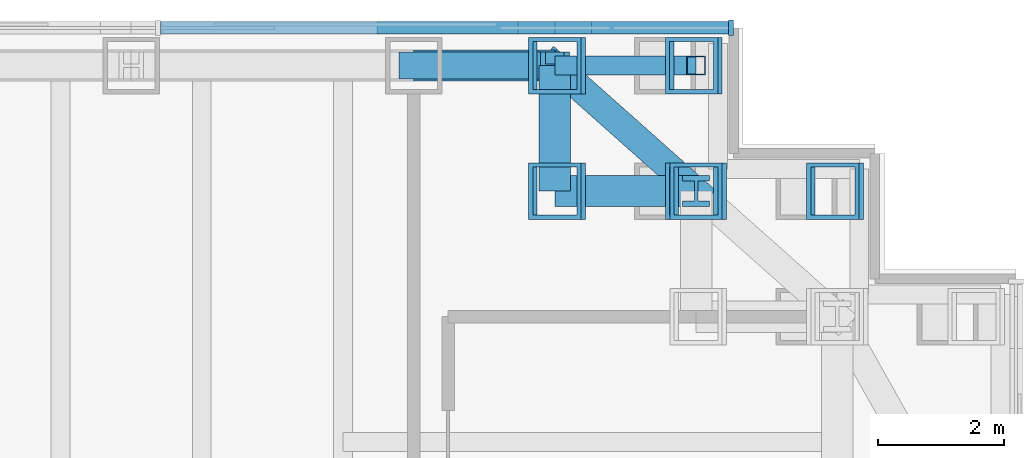
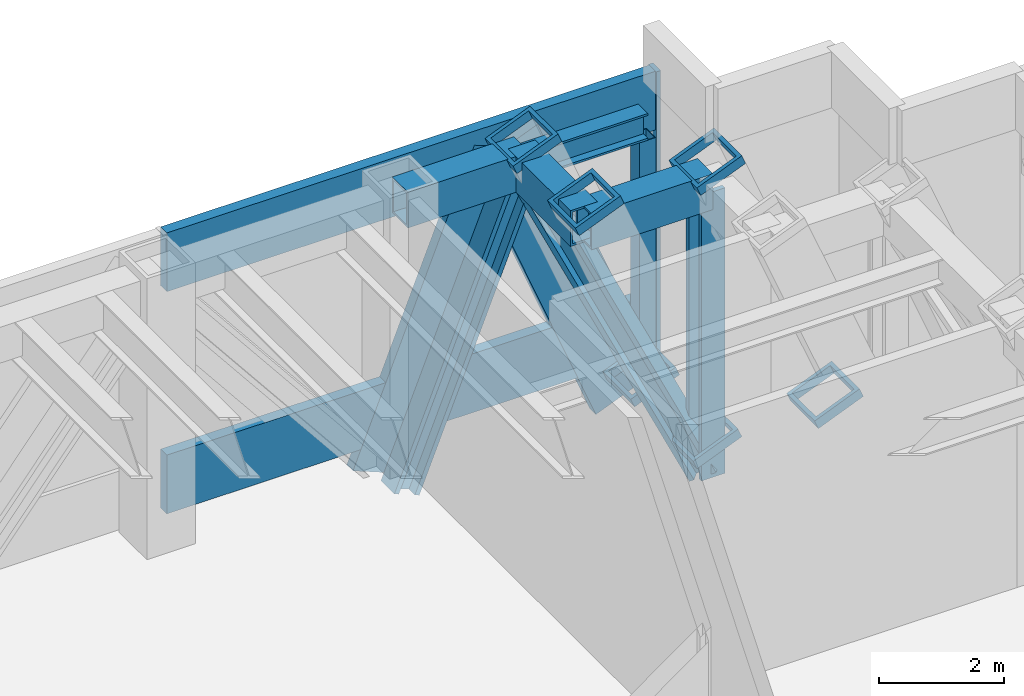
# One storey, part 8 of 17: 15 members, 4 beams, 1 element without a shape of its own.
"""IFC4 building model written with IfcOpenShell, lengths in metres."""

from ifc_helpers import new_model, si_unit, direction, frame, origin, origin_2d, place, context, subcontext, project, spatial, rectangle, hollow_rectangle, i_section, extrude, material, material_profile, profile_set, type_object, element, aggregate, save


model = new_model("IFC4")

# Units and contexts
model_context = context("Model", 3, precision=1e-05, world=origin(), true_north=direction((0.0, 1.0)))
body_context = subcontext(model_context, "Body", "Model", "MODEL_VIEW")
ifc_project = project(units=[si_unit("LENGTHUNIT", "METRE"), si_unit("AREAUNIT", "SQUARE_METRE"), si_unit("VOLUMEUNIT", "CUBIC_METRE"), si_unit("PLANEANGLEUNIT", "RADIAN"), si_unit("MASSUNIT", "GRAM", prefix="KILO")], contexts=[model_context])

# Site, building, storey
site_placement = place(None, origin())
site = spatial("IfcSite", under=ifc_project, at=site_placement, CompositionType="ELEMENT")
building_placement = place(site_placement, origin())
building = spatial("IfcBuilding", under=site, at=building_placement, Name="Rheinbord Bourse Tower", CompositionType="ELEMENT")
storey_placement = place(building_placement, frame((0.0, 0.0, 265.60009765625)))
storey = spatial("IfcBuildingStorey", under=building, at=storey_placement, Name="L60", CompositionType="ELEMENT", Elevation=265.60009765625)

# Beams
ifc_material_1 = material(Name="Steel S460M", Category="steel")
ifc_material_profile_1 = material_profile(ifc_material_1, hollow_rectangle(XDim=0.5, YDim=0.699951171875, WallThickness=0.0400390625, at=origin_2d()), Name="BOX 700x500x40")
ifc_profile_set_1 = profile_set([ifc_material_profile_1], Name="Steel S460M")
beam_type_1 = type_object("IfcBeamType", Name="BELT CHORD BOX 700x500x40", PredefinedType="SPANDREL", material=ifc_profile_set_1)
beam_1_placement = place(storey_placement, frame((67.5, 42.0, 4.989990234375), z_axis=(-1.0, 0.0, 0.0), x_axis=(0.0, -1.0, 0.0)))
element("IfcBeam", 1, at=beam_1_placement, inside=storey, type_object=beam_type_1, Name="Spandrel NE-C-NE-D under L61", PredefinedType="SPANDREL", context=body_context, shape_type="SweptSolid", body=[
    extrude(hollow_rectangle(XDim=0.5, YDim=0.699951171875, WallThickness=0.0400390625, at=origin_2d()), origin(), (0.0, 0.0, 1.0), 2.25),
])
beam_2_placement = place(storey_placement, frame((65.25, 42.0, 4.989990234375), z_axis=(0.0, 1.0, 0.0), x_axis=(-1.0, 0.0, 0.0)))
element("IfcBeam", 2, at=beam_2_placement, inside=storey, type_object=beam_type_1, Name="Spandrel NE-D-NE-E under L61", PredefinedType="SPANDREL", context=body_context, shape_type="SweptSolid", body=[
    extrude(hollow_rectangle(XDim=0.5, YDim=0.699951171875, WallThickness=0.0400390625, at=origin_2d()), origin(), (0.0, 0.0, 1.0), 2.0),
])
beam_3_placement = place(storey_placement, frame((65.25, 44.0, 4.989990234375), z_axis=(-1.0, 0.0, 0.0), x_axis=(0.0, -1.0, 0.0)))
element("IfcBeam", 3, at=beam_3_placement, inside=storey, type_object=beam_type_1, Name="Spandrel NE-E-N-63 under L61", PredefinedType="SPANDREL", context=body_context, shape_type="SweptSolid", body=[
    extrude(hollow_rectangle(XDim=0.5, YDim=0.699951171875, WallThickness=0.0400390625, at=origin_2d()), origin(), (0.0, 0.0, 1.0), 2.25),
])

# Members
ifc_material_2 = material(Name="Steel S460", Category="steel")
ifc_material_profile_2 = material_profile(ifc_material_2, i_section(OverallWidth=0.431884765625, OverallDepth=0.498046875, WebThickness=0.0556640625, FlangeThickness=0.0888671875, at=origin_2d()), Name="HD 400x744")
ifc_profile_set_2 = profile_set([ifc_material_profile_2], Name="Steel S460")
member_type_1 = type_object("IfcMemberType", Name="BELT DIAGONAL HD 400x744", PredefinedType="STRUT", material=ifc_profile_set_2)
member_1_placement = place(storey_placement, frame((67.5, 42.0, -0.60009765625), z_axis=(0.0, 0.0, 1.0), x_axis=(1.0, 0.0, 0.0)))
element("IfcMember", 4, at=member_1_placement, inside=storey, type_object=member_type_1, Name="Belt truss diagonal NE-C-NE-D L60", PredefinedType="STRUT", context=body_context, shape_type="SweptSolid", body=[
    extrude(i_section(OverallWidth=0.431884765625, OverallDepth=0.498046875, WebThickness=0.0556640625, FlangeThickness=0.0888671875, at=origin_2d()), origin(), (0.0, 0.0, 1.0), 5.590087890625),
])
member_2_placement = place(storey_placement, frame((67.5, 42.0, -0.60009765625), z_axis=(-0.35437868618, 0.315003276604, 0.880448001026), x_axis=(-0.66436383883, -0.747409318684, 0.0)))
element("IfcMember", 5, at=member_2_placement, inside=storey, type_object=member_type_1, Name="Belt truss diagonal NE-D-NE-E L60", PredefinedType="STRUT", context=body_context, shape_type="SweptSolid", body=[
    extrude(i_section(OverallWidth=0.431884765625, OverallDepth=0.498046875, WebThickness=0.0556640625, FlangeThickness=0.0888671875, at=origin_2d()), origin(), (0.0, 0.0, 1.0), 6.34912109375),
])
member_3_placement = place(storey_placement, frame((63.0, 44.0, -0.60009765625), z_axis=(0.37338763268, 0.0, 0.92767541509), x_axis=(0.0, 1.0, 0.0)))
element("IfcMember", 6, at=member_3_placement, inside=storey, type_object=member_type_1, Name="Belt truss diagonal NE-E-N-63 L60", PredefinedType="STRUT", context=body_context, shape_type="SweptSolid", body=[
    extrude(i_section(OverallWidth=0.431884765625, OverallDepth=0.498046875, WebThickness=0.0556640625, FlangeThickness=0.0888671875, at=origin_2d()), origin(), (0.0, 0.0, 1.0), 6.02587890625),
])

# Curtain wall, members
ifc_material_3 = material(Name="Dark glass and black aluminium", Category="aluminium")
curtain_wall_type = type_object("IfcCurtainWallType", Name="CW5 DARK GLASS CURTAIN WALL", PredefinedType="USERDEFINED", material=ifc_material_3)
curtain_wall_placement = place(storey_placement, origin())
curtain_wall = element("IfcCurtainWall", 7, at=curtain_wall_placement, inside=storey, type_object=curtain_wall_type, Name="Curtain wall CW5 N L60", ObjectType="UNITISED CURTAIN WALL", PredefinedType="USERDEFINED")
ifc_material_4 = material(Name="Black anodised aluminium", Category="aluminium")
ifc_material_profile_3 = material_profile(ifc_material_4, rectangle(XDim=0.199951171875, YDim=1.259033203125, at=origin_2d()), Name="CW5 DIAGONAL MULLION 1259x200")
ifc_profile_set_3 = profile_set([ifc_material_profile_3], Name="Black anodised aluminium")
member_type_2 = type_object("IfcMemberType", Name="CW5 BLACK DIAGONAL MULLION", PredefinedType="USERDEFINED", material=ifc_profile_set_3)
member_4_placement = place(storey_placement, frame((67.5, 44.60009765625, -0.60009765625), z_axis=(-0.37338763268, 0.0, 0.92767541509), x_axis=(0.0, -1.0, 0.0)))
member_4 = element("IfcMember", 8, at=member_4_placement, type_object=member_type_2, Name="CW5 diagonal mullion belt NE-D", ObjectType="DIAGONAL MULLION", PredefinedType="USERDEFINED", context=body_context, shape_type="SweptSolid", body=[
    extrude(rectangle(XDim=0.199951171875, YDim=1.259033203125, at=origin_2d()), origin(), (0.0, 0.0, 1.0), 6.02587890625),
])
member_5_placement = place(storey_placement, frame((63.0, 44.60009765625, -0.60009765625), z_axis=(0.37338763268, 0.0, 0.92767541509), x_axis=(0.0, 1.0, 0.0)))
member_5 = element("IfcMember", 9, at=member_5_placement, type_object=member_type_2, Name="CW5 diagonal mullion belt NE-E", ObjectType="DIAGONAL MULLION", PredefinedType="USERDEFINED", context=body_context, shape_type="SweptSolid", body=[
    extrude(rectangle(XDim=0.199951171875, YDim=1.259033203125, at=origin_2d()), origin(), (0.0, 0.0, 1.0), 6.02587890625),
])
ifc_material_5 = material(Name="Black anodised aluminium", Category="aluminium")
ifc_material_profile_4 = material_profile(ifc_material_5, rectangle(XDim=0.25, YDim=0.080078125, at=origin_2d()), Name="CW5 MULLION 80x250")
ifc_profile_set_4 = profile_set([ifc_material_profile_4], Name="Black anodised aluminium")
member_type_3 = type_object("IfcMemberType", Name="CW5 BLACK MULLION", PredefinedType="MULLION", material=ifc_profile_set_4)
member_6_placement = place(storey_placement, frame((68.06005859375, 44.60009765625, 0.0), z_axis=(0.0, 0.0, 1.0), x_axis=(0.0, -1.0, 0.0)))
member_6 = element("IfcMember", 10, at=member_6_placement, type_object=member_type_3, Name="CW5 mullion 1", PredefinedType="MULLION", context=body_context, shape_type="SweptSolid", body=[
    extrude(rectangle(XDim=0.25, YDim=0.080078125, at=origin_2d()), origin(), (0.0, 0.0, 1.0), 5.5),
])
ifc_material_6 = material(Name="Black anodised aluminium", Category="aluminium")
ifc_material_profile_5 = material_profile(ifc_material_6, rectangle(XDim=0.199951171875, YDim=1.14990234375, at=origin_2d()), Name="CW5 TRANSOM 1150x200")
ifc_profile_set_5 = profile_set([ifc_material_profile_5], Name="Black anodised aluminium")
member_type_4 = type_object("IfcMemberType", Name="CW5 BLACK TRANSOM", PredefinedType="USERDEFINED", material=ifc_profile_set_5)
member_7_placement = place(storey_placement, frame((68.02001953125, 44.60009765625, 0.574951171875), z_axis=(-1.0, 0.0, 0.0), x_axis=(0.0, -1.0, 0.0)))
member_7 = element("IfcMember", 11, at=member_7_placement, type_object=member_type_4, Name="CW5 transom 1.1", ObjectType="TRANSOM", PredefinedType="USERDEFINED", context=body_context, shape_type="SweptSolid", body=[
    extrude(rectangle(XDim=0.199951171875, YDim=1.14990234375, at=origin_2d()), origin(), (0.0, 0.0, 1.0), 9.051513671875),
])
member_8_placement = place(storey_placement, frame((68.02001953125, 44.60009765625, 4.9248046875), z_axis=(-1.0, 0.0, 0.0), x_axis=(0.0, -1.0, 0.0)))
member_8 = element("IfcMember", 12, at=member_8_placement, type_object=member_type_4, Name="CW5 transom 1.2", ObjectType="TRANSOM", PredefinedType="USERDEFINED", context=body_context, shape_type="SweptSolid", body=[
    extrude(rectangle(XDim=0.199951171875, YDim=1.14990234375, at=origin_2d()), origin(), (0.0, 0.0, 1.0), 9.051513671875),
])
aggregate(curtain_wall, [member_6, member_7, member_8, member_4, member_5])

# Members
ifc_material_7 = material(Name="Steel S460", Category="steel")
ifc_material_profile_6 = material_profile(ifc_material_7, hollow_rectangle(XDim=0.300048828125, YDim=0.300048828125, WallThickness=0.012451171875, at=origin_2d()), Name="SHS 300x300x12.5")
ifc_profile_set_6 = profile_set([ifc_material_profile_6], Name="Steel S460")
member_type_5 = type_object("IfcMemberType", Name="LEDGE POST SHS 300x300x12.5", PredefinedType="POST", material=ifc_profile_set_6)
member_9_placement = place(storey_placement, frame((67.5, 44.0, 0.0), z_axis=(0.0, 0.0, 1.0), x_axis=(1.0, 0.0, 0.0)))
element("IfcMember", 13, at=member_9_placement, inside=storey, type_object=member_type_5, Name="Ledge post NE-E L61", PredefinedType="POST", context=body_context, shape_type="SweptSolid", body=[
    extrude(hollow_rectangle(XDim=0.300048828125, YDim=0.300048828125, WallThickness=0.012451171875, at=origin_2d()), origin(), (0.0, 0.0, 1.0), 4.725830078125),
])
ifc_material_8 = material(Name="Steel S460M", Category="steel")
ifc_material_profile_7 = material_profile(ifc_material_8, hollow_rectangle(XDim=0.89990234375, YDim=0.89990234375, WallThickness=0.070068359375, at=origin_2d()), Name="BOX 900x900x70")
ifc_profile_set_7 = profile_set([ifc_material_profile_7], Name="Steel S460M")
member_type_6 = type_object("IfcMemberType", Name="RAKING NODE PIECE BOX 900x900x70", PredefinedType="USERDEFINED", material=ifc_profile_set_7)
for number, where, z_axis, x_axis, name in (
    (14, (69.75, 42.0, 0.0), (-0.378172633109, 0.0, 0.925735091464), (0.925735091464, 0.0, 0.378172633109), "Node piece NE-C L60 foot"),
    (15, (67.5703125, 42.0, 5.32763671875), (-0.37771344485, 0.0, 0.92592254189), (0.92592254189, 0.0, 0.37771344485), "Node piece NE-C L60 head"),
    (16, (67.5, 42.0, 0.0), (-0.378172633109, 0.0, 0.925735091464), (0.0, -1.0, 0.0), "Node piece NE-D L60 foot"),
    (17, (65.3203125, 42.0, 5.32763671875), (-0.37771344485, 0.0, 0.92592254189), (0.0, -1.0, 0.0), "Node piece NE-D L60 head"),
    (18, (67.5, 44.0, 0.0), (-0.378172633109, 0.0, 0.925735091464), (0.0, -1.0, 0.0), "Node piece NE-E L60 foot"),
    (19, (65.3203125, 44.0, 5.32763671875), (-0.37771344485, 0.0, 0.92592254189), (0.0, -1.0, 0.0), "Node piece NE-E L60 head"),
):
    element("IfcMember", number, at=place(storey_placement, frame(where, z_axis=z_axis, x_axis=x_axis)), inside=storey, type_object=member_type_6, Name=name, ObjectType="NODE PIECE", PredefinedType="USERDEFINED", context=body_context, shape_type="SweptSolid", body=[
        extrude(hollow_rectangle(XDim=0.89990234375, YDim=0.89990234375, WallThickness=0.070068359375, at=origin_2d()), origin(), (0.0, 0.0, 1.0), 0.18603515625),
    ])

# Beam
ifc_material_9 = material(Name="Steel S460", Category="steel")
ifc_material_profile_8 = material_profile(ifc_material_9, i_section(OverallWidth=0.305908203125, OverallDepth=0.52392578125, WebThickness=0.02099609375, FlangeThickness=0.0400390625, at=origin_2d()), Name="HEM 500")
ifc_profile_set_8 = profile_set([ifc_material_profile_8], Name="Steel S460")
beam_type_2 = type_object("IfcBeamType", Name="SETBACK OUTLOOKER HEM 500", PredefinedType="BEAM", material=ifc_profile_set_8)
beam_4_placement = place(storey_placement, frame((65.25, 44.0, 4.98779296875), z_axis=(1.0, 0.0, 0.0), x_axis=(0.0, 1.0, 0.0)))
element("IfcBeam", 20, at=beam_4_placement, inside=storey, type_object=beam_type_2, Name="Setback outlooker NE-E L61", PredefinedType="BEAM", context=body_context, shape_type="SweptSolid", body=[
    extrude(i_section(OverallWidth=0.305908203125, OverallDepth=0.52392578125, WebThickness=0.02099609375, FlangeThickness=0.0400390625, at=origin_2d()), origin(), (0.0, 0.0, 1.0), 2.25),
])

save(model, "model.ifc")
